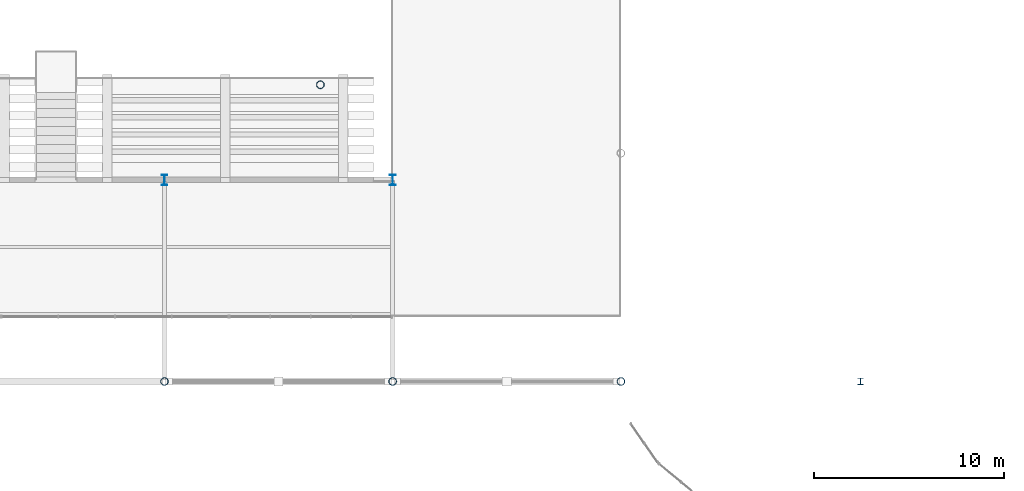
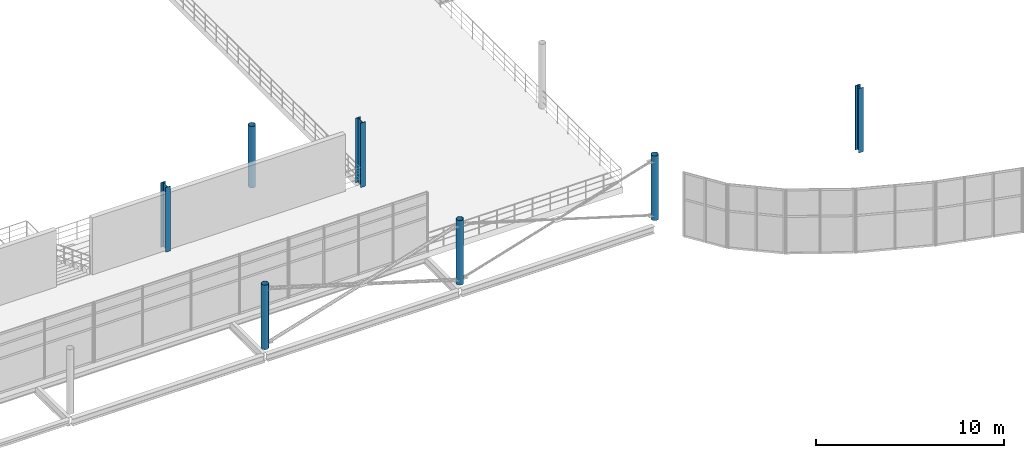
# One storey, part 5 of 89: 7 columns.
"""IFC4 building model written with IfcOpenShell, lengths in metres."""

from ifc_helpers import new_model, si_unit, direction, frame, origin, origin_2d, place, context, subcontext, project, spatial, hollow_circle, i_section, extrude, material, material_profile, profile_set, type_object, element, save


model = new_model("IFC4")

# Units and contexts
model_context = context("Model", 3, precision=1e-05, world=origin(), true_north=direction((0.0, 1.0)))
body_context = subcontext(model_context, "Body", "Model", "MODEL_VIEW")
ifc_project = project(units=[si_unit("LENGTHUNIT", "METRE"), si_unit("AREAUNIT", "SQUARE_METRE"), si_unit("VOLUMEUNIT", "CUBIC_METRE"), si_unit("PLANEANGLEUNIT", "RADIAN"), si_unit("MASSUNIT", "GRAM", prefix="KILO"), si_unit("THERMODYNAMICTEMPERATUREUNIT", "KELVIN"), si_unit("POWERUNIT", "WATT")], contexts=[model_context])

# Site, building, storey
site_placement = place(None, origin())
site = spatial("IfcSite", under=ifc_project, at=site_placement, CompositionType="ELEMENT")
building_placement = place(site_placement, origin())
building = spatial("IfcBuilding", under=site, at=building_placement, Name="Solmara Park Aquatics Centre", CompositionType="ELEMENT")
storey_placement = place(building_placement, frame((0.0, 0.0, 5.39990234375)))
storey = spatial("IfcBuildingStorey", under=building, at=storey_placement, Name="L01", CompositionType="ELEMENT", Elevation=5.39990234375)

# Columns
ifc_material = material(Name="Structural Steel S355", Category="steel")
ifc_material_profile_1 = material_profile(ifc_material, hollow_circle(Radius=0.203125, WallThickness=0.01611328125, at=origin_2d()), Name="CHS 406.4x16")
ifc_profile_set_1 = profile_set([ifc_material_profile_1], Name="Structural Steel S355")
column_type_1 = type_object("IfcColumnType", Name="STR-COL-CHS406", PredefinedType="COLUMN", material=ifc_profile_set_1)
for number, where, z_axis, x_axis, name in (
    (1, (72.60009765625, 12.60009765625, 0.0), (0.0, 0.0, 1.0), (1.0, 0.0, 0.0), "Column L01-0368"),
    (2, (84.60009765625, 12.60009765625, 0.0), (0.0, 0.0, 1.0), (1.0, 0.0, 0.0), "Column L01-0376"),
    (3, (96.60009765625, 12.60009765625, 0.0), (0.0, 0.0, 1.0), (1.0, 0.0, 0.0), "Column L01-0384"),
):
    element("IfcColumn", number, at=place(storey_placement, frame(where, z_axis=z_axis, x_axis=x_axis)), inside=storey, type_object=column_type_1, Name=name, PredefinedType="COLUMN", context=body_context, shape_type="SweptSolid", body=[
        extrude(hollow_circle(Radius=0.203125, WallThickness=0.01611328125, at=origin_2d()), origin(), (0.0, 0.0, 1.0), 4.2001953125),
    ])
column_1_placement = place(storey_placement, frame((80.800048828125, 28.199951171875, -1.7998046875), z_axis=(0.0, 0.0, 1.0), x_axis=(1.0, 0.0, 0.0)))
element("IfcColumn", 4, at=column_1_placement, inside=storey, type_object=column_type_1, Name="Upper Stand Front Column L01 S2-2", PredefinedType="COLUMN", context=body_context, shape_type="SweptSolid", body=[
    extrude(hollow_circle(Radius=0.203125, WallThickness=0.01611328125, at=origin_2d()), origin(), (0.0, 0.0, 1.0), 4.0),
])
ifc_material_profile_2 = material_profile(ifc_material, i_section(OverallWidth=0.300048828125, OverallDepth=0.550048828125, WebThickness=0.014892578125, FlangeThickness=0.029052734375, FilletRadius=0.027099609375, at=origin_2d()), Name="HEB 550")
ifc_profile_set_2 = profile_set([ifc_material_profile_2], Name="Structural Steel S355")
column_type_2 = type_object("IfcColumnType", Name="STR-COL-HEB550", PredefinedType="COLUMN", material=ifc_profile_set_2)
for number, where, z_axis, x_axis, name in (
    (5, (72.60009765625, 23.199951171875, 0.0), (0.0, 0.0, 1.0), (1.0, 0.0, 0.0), "Column L01-0369"),
    (6, (84.60009765625, 23.199951171875, 0.0), (0.0, 0.0, 1.0), (1.0, 0.0, 0.0), "Column L01-0377"),
):
    element("IfcColumn", number, at=place(storey_placement, frame(where, z_axis=z_axis, x_axis=x_axis)), inside=storey, type_object=column_type_2, Name=name, PredefinedType="COLUMN", context=body_context, shape_type="SweptSolid", body=[
        extrude(i_section(OverallWidth=0.300048828125, OverallDepth=0.550048828125, WebThickness=0.014892578125, FlangeThickness=0.029052734375, FilletRadius=0.027099609375, at=origin_2d()), origin(), (0.0, 0.0, 1.0), 4.2001953125),
    ])
ifc_material_profile_3 = material_profile(ifc_material, i_section(OverallWidth=0.300048828125, OverallDepth=0.360107421875, WebThickness=0.012451171875, FlangeThickness=0.0224609375, FilletRadius=0.027099609375, at=origin_2d()), Name="HEB 360")
ifc_profile_set_3 = profile_set([ifc_material_profile_3], Name="Structural Steel S355")
column_type_3 = type_object("IfcColumnType", Name="STR-PIL-HEB360", PredefinedType="PILASTER", material=ifc_profile_set_3)
column_2_placement = place(storey_placement, frame((109.199951171875, 12.60009765625, 0.0), z_axis=(0.0, 0.0, 1.0), x_axis=(1.0, 0.0, 0.0)))
element("IfcColumn", 7, at=column_2_placement, inside=storey, type_object=column_type_3, Name="Column L01-0396", PredefinedType="PILASTER", context=body_context, shape_type="SweptSolid", body=[
    extrude(i_section(OverallWidth=0.300048828125, OverallDepth=0.360107421875, WebThickness=0.012451171875, FlangeThickness=0.0224609375, FilletRadius=0.027099609375, at=origin_2d()), origin(), (0.0, 0.0, 1.0), 4.2001953125),
])

save(model, "model.ifc")
